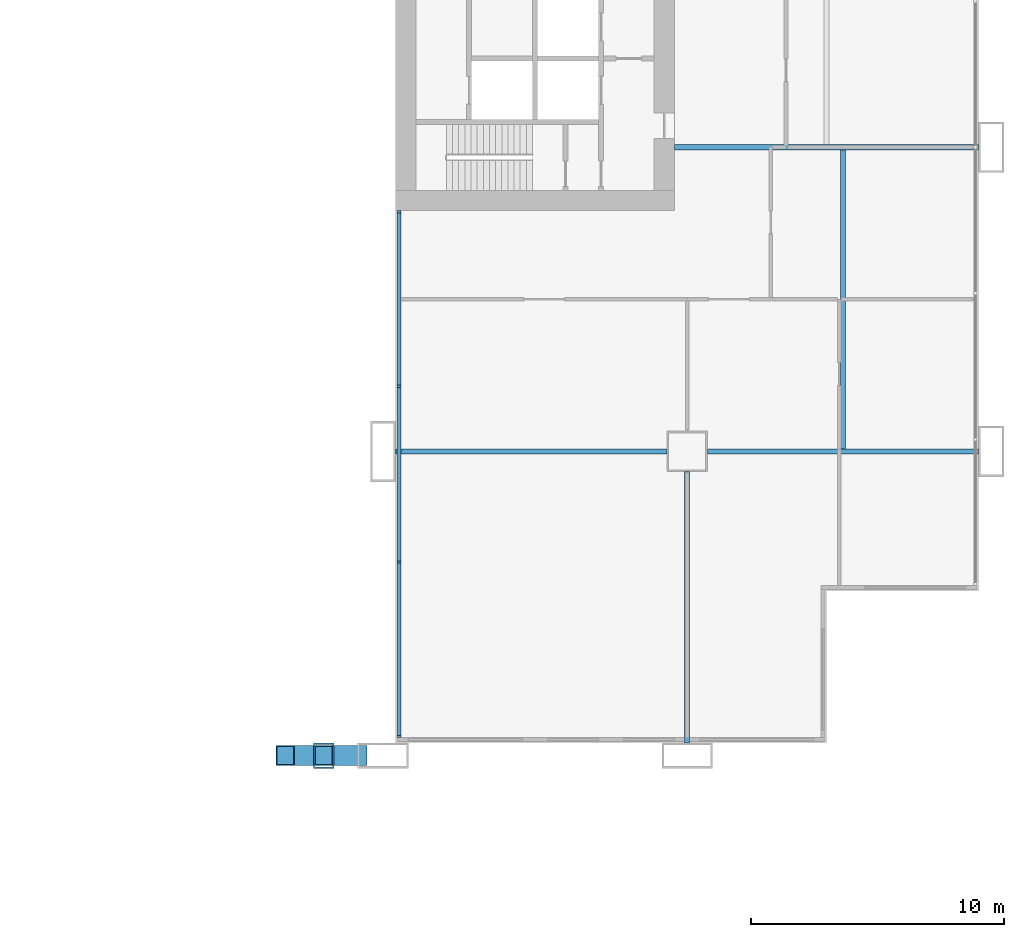
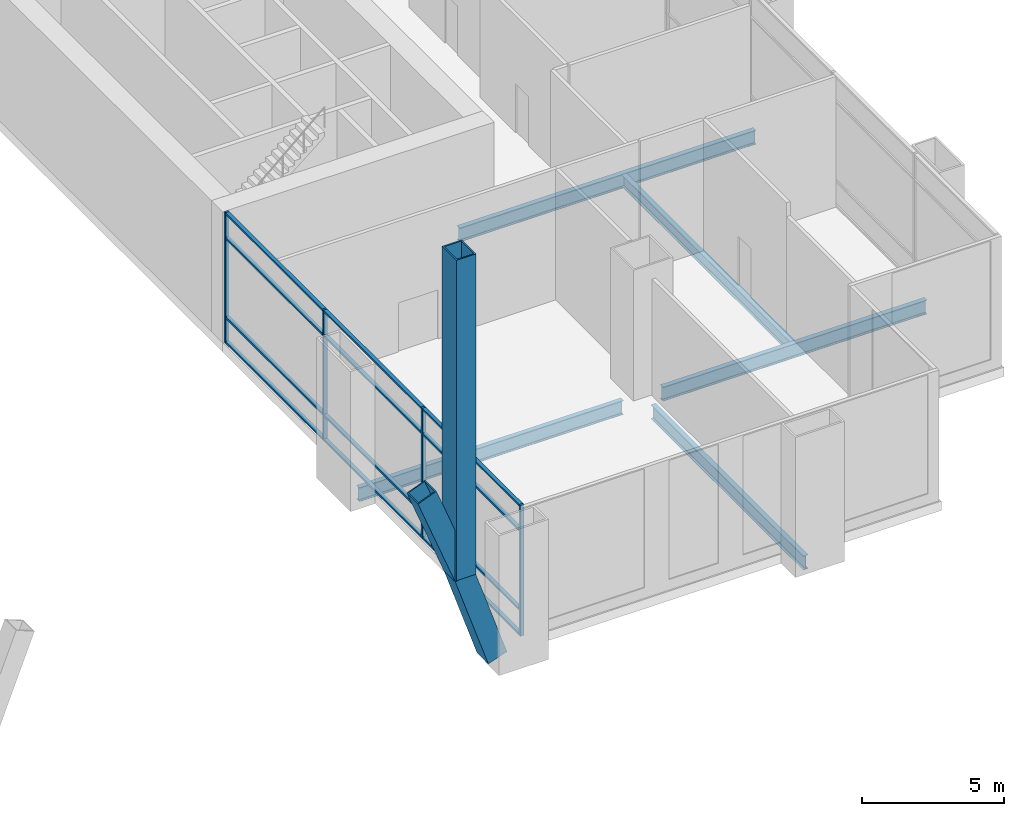
# One storey, part 13 of 30: 19 members, 5 beams, 1 element without a shape of its own.
"""IFC4 building model written with IfcOpenShell, lengths in metres."""

from ifc_helpers import new_model, si_unit, direction, frame, origin, origin_2d, place, context, subcontext, project, spatial, rectangle, hollow_rectangle, i_section, extrude, material, material_profile, profile_set, type_object, element, aggregate, save


model = new_model("IFC4")

# Units and contexts
model_context = context("Model", 3, precision=1e-05, world=origin(), true_north=direction((0.0, 1.0)))
body_context = subcontext(model_context, "Body", "Model", "MODEL_VIEW")
ifc_project = project(units=[si_unit("LENGTHUNIT", "METRE"), si_unit("AREAUNIT", "SQUARE_METRE"), si_unit("VOLUMEUNIT", "CUBIC_METRE"), si_unit("PLANEANGLEUNIT", "RADIAN"), si_unit("MASSUNIT", "GRAM", prefix="KILO")], contexts=[model_context])

# Site, building, storey
site_placement = place(None, origin())
site = spatial("IfcSite", under=ifc_project, at=site_placement, CompositionType="ELEMENT")
building_placement = place(site_placement, origin())
building = spatial("IfcBuilding", under=site, at=building_placement, Name="Kitamizu Gate Tower and Museum", CompositionType="ELEMENT")
storey_placement = place(building_placement, frame((0.0, 0.0, 6.0)))
storey = spatial("IfcBuildingStorey", under=building, at=storey_placement, Name="L01", CompositionType="ELEMENT", Elevation=6.0)

# Members
ifc_material_1 = material(Name="Steel SM490A bronze coated", Category="steel")
ifc_material_profile_1 = material_profile(ifc_material_1, hollow_rectangle(XDim=0.800048828125, YDim=0.800048828125, WallThickness=0.050048828125, at=origin_2d()), Name="BOX 800x800x50")
ifc_profile_set_1 = profile_set([ifc_material_profile_1], Name="Steel SM490A bronze coated")
member_type_1 = type_object("IfcMemberType", Name="Arch rib AR1 BOX 800x800x50", PredefinedType="USERDEFINED", material=ifc_profile_set_1)
member_1_placement = place(storey_placement, frame((47.0, 0.0, 0.306396484375), z_axis=(-0.319044039377, 0.0, 0.947739890971), x_axis=(0.0, -1.0, 0.0)))
element("IfcMember", 1, at=member_1_placement, inside=storey, type_object=member_type_1, Name="Arch rib SE-1", ObjectType="ARCH RIB", PredefinedType="USERDEFINED", context=body_context, shape_type="SweptSolid", body=[
    extrude(hollow_rectangle(XDim=0.800048828125, YDim=0.800048828125, WallThickness=0.050048828125, at=origin_2d()), origin(), (0.0, 0.0, 1.0), 4.18505859375),
])
member_2_placement = place(storey_placement, frame((45.664794921875, 0.0, 4.272705078125), z_axis=(-0.363855278382, 0.0, 0.931455493512), x_axis=(0.0, -1.0, 0.0)))
element("IfcMember", 2, at=member_2_placement, inside=storey, type_object=member_type_1, Name="Arch rib SE-2", ObjectType="ARCH RIB", PredefinedType="USERDEFINED", context=body_context, shape_type="SweptSolid", body=[
    extrude(hollow_rectangle(XDim=0.800048828125, YDim=0.800048828125, WallThickness=0.050048828125, at=origin_2d()), origin(), (0.0, 0.0, 1.0), 4.179443359375),
])
ifc_material_2 = material(Name="Steel SM490A bronze coated", Category="steel")
ifc_material_profile_2 = material_profile(ifc_material_2, hollow_rectangle(XDim=0.800048828125, YDim=1.0, WallThickness=0.054931640625, at=origin_2d()), Name="BOX 800x1000x55")
ifc_profile_set_2 = profile_set([ifc_material_profile_2], Name="Steel SM490A bronze coated")
member_type_2 = type_object("IfcMemberType", Name="Arch rib tie post AP3 BOX 800x1000x55", PredefinedType="USERDEFINED", material=ifc_profile_set_2)
member_3_placement = place(storey_placement, frame((45.664794921875, 0.0, 4.272705078125), z_axis=(0.0, 0.0, 1.0), x_axis=(1.0, 0.0, 0.0)))
element("IfcMember", 3, at=member_3_placement, inside=storey, type_object=member_type_2, Name="Arch rib tie post SE-1", ObjectType="ARCH POST", PredefinedType="USERDEFINED", context=body_context, shape_type="SweptSolid", body=[
    extrude(hollow_rectangle(XDim=0.800048828125, YDim=1.0, WallThickness=0.054931640625, at=origin_2d()), origin(), (0.0, 0.0, 1.0), 13.727294921875),
])

# Beams
ifc_material_3 = material(Name="Steel SM490A", Category="steel")
ifc_material_profile_3 = material_profile(ifc_material_3, i_section(OverallWidth=0.199951171875, OverallDepth=0.5, WebThickness=0.010009765625, FlangeThickness=0.01611328125, FilletRadius=0.02001953125, at=origin_2d()), Name="H-500x200x10x16")
ifc_profile_set_3 = profile_set([ifc_material_profile_3], Name="Steel SM490A")
beam_type_1 = type_object("IfcBeamType", Name="Floor beam FB1 H 500x200x10x16", PredefinedType="BEAM", material=ifc_profile_set_3)
beam_1_placement = place(storey_placement, frame((66.14990234375, 12.10009765625, -0.64990234375), z_axis=(0.0, 1.0, 0.0), x_axis=(-1.0, 0.0, 0.0)))
element("IfcBeam", 4, at=beam_1_placement, inside=storey, type_object=beam_type_1, Name="Floor beam FB1 L01-2", PredefinedType="BEAM", context=body_context, shape_type="SweptSolid", body=[
    extrude(i_section(OverallWidth=0.199951171875, OverallDepth=0.5, WebThickness=0.010009765625, FlangeThickness=0.01611328125, FilletRadius=0.02001953125, at=origin_2d()), origin(), (0.0, 0.0, 1.0), 11.7998046875),
])
ifc_material_4 = material(Name="Steel SM490A", Category="steel")
ifc_material_profile_4 = material_profile(ifc_material_4, i_section(OverallWidth=0.199951171875, OverallDepth=0.60009765625, WebThickness=0.010986328125, FlangeThickness=0.01708984375, FilletRadius=0.02197265625, at=origin_2d()), Name="H-600x200x11x17")
ifc_profile_set_4 = profile_set([ifc_material_profile_4], Name="Steel SM490A")
beam_type_2 = type_object("IfcBeamType", Name="Floor girder FG1 H 600x200x11x17", PredefinedType="BEAM", material=ifc_profile_set_4)
for number, where, z_axis, x_axis, name in (
    (5, (60.0, 0.5, -0.699951171875), (0.0, 1.0, 0.0), (-1.0, 0.0, 0.0), "Floor girder FG1 x60 L01"),
    (6, (48.5, 12.0, -0.699951171875), (1.0, 0.0, 0.0), (0.0, 1.0, 0.0), "Floor girder FG1 y12 L01"),
    (7, (60.800048828125, 12.0, -0.699951171875), (1.0, 0.0, 0.0), (0.0, 1.0, 0.0), "Floor girder FG1 y12 L01"),
):
    element("IfcBeam", number, at=place(storey_placement, frame(where, z_axis=z_axis, x_axis=x_axis)), inside=storey, type_object=beam_type_2, Name=name, PredefinedType="BEAM", context=body_context, shape_type="SweptSolid", body=[
        extrude(i_section(OverallWidth=0.199951171875, OverallDepth=0.60009765625, WebThickness=0.010986328125, FlangeThickness=0.01708984375, FilletRadius=0.02197265625, at=origin_2d()), origin(), (0.0, 0.0, 1.0), 10.699951171875),
    ])
beam_2_placement = place(storey_placement, frame((59.5, 24.0, -0.699951171875), z_axis=(1.0, 0.0, 0.0), x_axis=(0.0, 1.0, 0.0)))
element("IfcBeam", 8, at=beam_2_placement, inside=storey, type_object=beam_type_2, Name="Floor girder FG1 y24 L01", PredefinedType="BEAM", context=body_context, shape_type="SweptSolid", body=[
    extrude(i_section(OverallWidth=0.199951171875, OverallDepth=0.60009765625, WebThickness=0.010986328125, FlangeThickness=0.01708984375, FilletRadius=0.02197265625, at=origin_2d()), origin(), (0.0, 0.0, 1.0), 12.0),
])

# Curtain wall, members
ifc_material_5 = material(Name="Bronze anodised aluminium frame, tinted triple glazing", Category="aluminium")
curtain_wall_type = type_object("IfcCurtainWallType", Name="CURTAIN WALL TYPE A PODIUM", PredefinedType="NOTDEFINED", material=ifc_material_5)
curtain_wall_placement = place(storey_placement, origin())
curtain_wall = element("IfcCurtainWall", 9, at=curtain_wall_placement, inside=storey, type_object=curtain_wall_type, Name="Curtain wall CW-A west L01", PredefinedType="NOTDEFINED")
ifc_material_6 = material(Name="Bronze anodised aluminium", Category="aluminium")
ifc_material_profile_5 = material_profile(ifc_material_6, rectangle(XDim=0.090087890625, YDim=0.14990234375, at=origin_2d()), Name="AL 90X150")
ifc_profile_set_5 = profile_set([ifc_material_profile_5], Name="Bronze anodised aluminium")
member_type_3 = type_object("IfcMemberType", Name="MULLION 90 X 150 TYPE A", PredefinedType="MULLION", material=ifc_profile_set_5)
member_4_placement = place(storey_placement, frame((48.635009765625, 0.7548828125, 0.0), z_axis=(0.0, 0.0, 1.0), x_axis=(0.0, 1.0, 0.0)))
member_4 = element("IfcMember", 10, at=member_4_placement, type_object=member_type_3, Name="CW-A mullion 1", PredefinedType="MULLION", context=body_context, shape_type="SweptSolid", body=[
    extrude(rectangle(XDim=0.090087890625, YDim=0.14990234375, at=origin_2d()), origin(), (0.0, 0.0, 1.0), 5.60009765625),
])
member_5_placement = place(storey_placement, frame((48.635009765625, 7.639892578125, 0.0), z_axis=(0.0, 0.0, 1.0), x_axis=(0.0, 1.0, 0.0)))
member_5 = element("IfcMember", 11, at=member_5_placement, type_object=member_type_3, Name="CW-A mullion 2", PredefinedType="MULLION", context=body_context, shape_type="SweptSolid", body=[
    extrude(rectangle(XDim=0.090087890625, YDim=0.14990234375, at=origin_2d()), origin(), (0.0, 0.0, 1.0), 5.60009765625),
])
member_6_placement = place(storey_placement, frame((48.635009765625, 14.570068359375, 0.0), z_axis=(0.0, 0.0, 1.0), x_axis=(0.0, 1.0, 0.0)))
member_6 = element("IfcMember", 12, at=member_6_placement, type_object=member_type_3, Name="CW-A mullion 3", PredefinedType="MULLION", context=body_context, shape_type="SweptSolid", body=[
    extrude(rectangle(XDim=0.090087890625, YDim=0.14990234375, at=origin_2d()), origin(), (0.0, 0.0, 1.0), 5.60009765625),
])
member_7_placement = place(storey_placement, frame((48.635009765625, 21.455078125, 0.0), z_axis=(0.0, 0.0, 1.0), x_axis=(0.0, 1.0, 0.0)))
member_7 = element("IfcMember", 13, at=member_7_placement, type_object=member_type_3, Name="CW-A mullion 4", PredefinedType="MULLION", context=body_context, shape_type="SweptSolid", body=[
    extrude(rectangle(XDim=0.090087890625, YDim=0.14990234375, at=origin_2d()), origin(), (0.0, 0.0, 1.0), 5.60009765625),
])
ifc_material_7 = material(Name="Bronze anodised aluminium", Category="aluminium")
ifc_material_profile_6 = material_profile(ifc_material_7, rectangle(XDim=0.14990234375, YDim=0.080078125, at=origin_2d()), Name="AL 80X150")
ifc_profile_set_6 = profile_set([ifc_material_profile_6], Name="Bronze anodised aluminium")
member_type_4 = type_object("IfcMemberType", Name="TRANSOM 80 X 150 TYPE A", PredefinedType="USERDEFINED", material=ifc_profile_set_6)
member_8_placement = place(storey_placement, frame((48.635009765625, 0.800048828125, 0.0400390625), z_axis=(0.0, 1.0, 0.0), x_axis=(-1.0, 0.0, 0.0)))
member_8 = element("IfcMember", 14, at=member_8_placement, type_object=member_type_4, Name="CW-A transom 1.1", ObjectType="TRANSOM", PredefinedType="USERDEFINED", context=body_context, shape_type="SweptSolid", body=[
    extrude(rectangle(XDim=0.14990234375, YDim=0.080078125, at=origin_2d()), origin(), (0.0, 0.0, 1.0), 6.794921875),
])
member_9_placement = place(storey_placement, frame((48.635009765625, 0.800048828125, 1.10009765625), z_axis=(0.0, 1.0, 0.0), x_axis=(-1.0, 0.0, 0.0)))
member_9 = element("IfcMember", 15, at=member_9_placement, type_object=member_type_4, Name="CW-A transom 1.2", ObjectType="TRANSOM", PredefinedType="USERDEFINED", context=body_context, shape_type="SweptSolid", body=[
    extrude(rectangle(XDim=0.14990234375, YDim=0.080078125, at=origin_2d()), origin(), (0.0, 0.0, 1.0), 6.794921875),
])
member_10_placement = place(storey_placement, frame((48.635009765625, 0.800048828125, 4.5), z_axis=(0.0, 1.0, 0.0), x_axis=(-1.0, 0.0, 0.0)))
member_10 = element("IfcMember", 16, at=member_10_placement, type_object=member_type_4, Name="CW-A transom 1.3", ObjectType="TRANSOM", PredefinedType="USERDEFINED", context=body_context, shape_type="SweptSolid", body=[
    extrude(rectangle(XDim=0.14990234375, YDim=0.080078125, at=origin_2d()), origin(), (0.0, 0.0, 1.0), 6.794921875),
])
member_11_placement = place(storey_placement, frame((48.635009765625, 0.800048828125, 5.56005859375), z_axis=(0.0, 1.0, 0.0), x_axis=(-1.0, 0.0, 0.0)))
member_11 = element("IfcMember", 17, at=member_11_placement, type_object=member_type_4, Name="CW-A transom 1.4", ObjectType="TRANSOM", PredefinedType="USERDEFINED", context=body_context, shape_type="SweptSolid", body=[
    extrude(rectangle(XDim=0.14990234375, YDim=0.080078125, at=origin_2d()), origin(), (0.0, 0.0, 1.0), 6.794921875),
])
member_12_placement = place(storey_placement, frame((48.635009765625, 7.68505859375, 0.0400390625), z_axis=(0.0, 1.0, 0.0), x_axis=(-1.0, 0.0, 0.0)))
member_12 = element("IfcMember", 18, at=member_12_placement, type_object=member_type_4, Name="CW-A transom 2.1", ObjectType="TRANSOM", PredefinedType="USERDEFINED", context=body_context, shape_type="SweptSolid", body=[
    extrude(rectangle(XDim=0.14990234375, YDim=0.080078125, at=origin_2d()), origin(), (0.0, 0.0, 1.0), 6.83984375),
])
member_13_placement = place(storey_placement, frame((48.635009765625, 7.68505859375, 1.10009765625), z_axis=(0.0, 1.0, 0.0), x_axis=(-1.0, 0.0, 0.0)))
member_13 = element("IfcMember", 19, at=member_13_placement, type_object=member_type_4, Name="CW-A transom 2.2", ObjectType="TRANSOM", PredefinedType="USERDEFINED", context=body_context, shape_type="SweptSolid", body=[
    extrude(rectangle(XDim=0.14990234375, YDim=0.080078125, at=origin_2d()), origin(), (0.0, 0.0, 1.0), 6.83984375),
])
member_14_placement = place(storey_placement, frame((48.635009765625, 7.68505859375, 4.5), z_axis=(0.0, 1.0, 0.0), x_axis=(-1.0, 0.0, 0.0)))
member_14 = element("IfcMember", 20, at=member_14_placement, type_object=member_type_4, Name="CW-A transom 2.3", ObjectType="TRANSOM", PredefinedType="USERDEFINED", context=body_context, shape_type="SweptSolid", body=[
    extrude(rectangle(XDim=0.14990234375, YDim=0.080078125, at=origin_2d()), origin(), (0.0, 0.0, 1.0), 6.83984375),
])
member_15_placement = place(storey_placement, frame((48.635009765625, 7.68505859375, 5.56005859375), z_axis=(0.0, 1.0, 0.0), x_axis=(-1.0, 0.0, 0.0)))
member_15 = element("IfcMember", 21, at=member_15_placement, type_object=member_type_4, Name="CW-A transom 2.4", ObjectType="TRANSOM", PredefinedType="USERDEFINED", context=body_context, shape_type="SweptSolid", body=[
    extrude(rectangle(XDim=0.14990234375, YDim=0.080078125, at=origin_2d()), origin(), (0.0, 0.0, 1.0), 6.83984375),
])
member_16_placement = place(storey_placement, frame((48.635009765625, 14.614990234375, 0.0400390625), z_axis=(0.0, 1.0, 0.0), x_axis=(-1.0, 0.0, 0.0)))
member_16 = element("IfcMember", 22, at=member_16_placement, type_object=member_type_4, Name="CW-A transom 3.1", ObjectType="TRANSOM", PredefinedType="USERDEFINED", context=body_context, shape_type="SweptSolid", body=[
    extrude(rectangle(XDim=0.14990234375, YDim=0.080078125, at=origin_2d()), origin(), (0.0, 0.0, 1.0), 6.794921875),
])
member_17_placement = place(storey_placement, frame((48.635009765625, 14.614990234375, 1.10009765625), z_axis=(0.0, 1.0, 0.0), x_axis=(-1.0, 0.0, 0.0)))
member_17 = element("IfcMember", 23, at=member_17_placement, type_object=member_type_4, Name="CW-A transom 3.2", ObjectType="TRANSOM", PredefinedType="USERDEFINED", context=body_context, shape_type="SweptSolid", body=[
    extrude(rectangle(XDim=0.14990234375, YDim=0.080078125, at=origin_2d()), origin(), (0.0, 0.0, 1.0), 6.794921875),
])
member_18_placement = place(storey_placement, frame((48.635009765625, 14.614990234375, 4.5), z_axis=(0.0, 1.0, 0.0), x_axis=(-1.0, 0.0, 0.0)))
member_18 = element("IfcMember", 24, at=member_18_placement, type_object=member_type_4, Name="CW-A transom 3.3", ObjectType="TRANSOM", PredefinedType="USERDEFINED", context=body_context, shape_type="SweptSolid", body=[
    extrude(rectangle(XDim=0.14990234375, YDim=0.080078125, at=origin_2d()), origin(), (0.0, 0.0, 1.0), 6.794921875),
])
member_19_placement = place(storey_placement, frame((48.635009765625, 14.614990234375, 5.56005859375), z_axis=(0.0, 1.0, 0.0), x_axis=(-1.0, 0.0, 0.0)))
member_19 = element("IfcMember", 25, at=member_19_placement, type_object=member_type_4, Name="CW-A transom 3.4", ObjectType="TRANSOM", PredefinedType="USERDEFINED", context=body_context, shape_type="SweptSolid", body=[
    extrude(rectangle(XDim=0.14990234375, YDim=0.080078125, at=origin_2d()), origin(), (0.0, 0.0, 1.0), 6.794921875),
])
aggregate(curtain_wall, [member_4, member_5, member_6, member_7, member_8, member_9, member_10, member_11, member_12, member_13, member_14, member_15, member_16, member_17, member_18, member_19])

save(model, "model.ifc")
